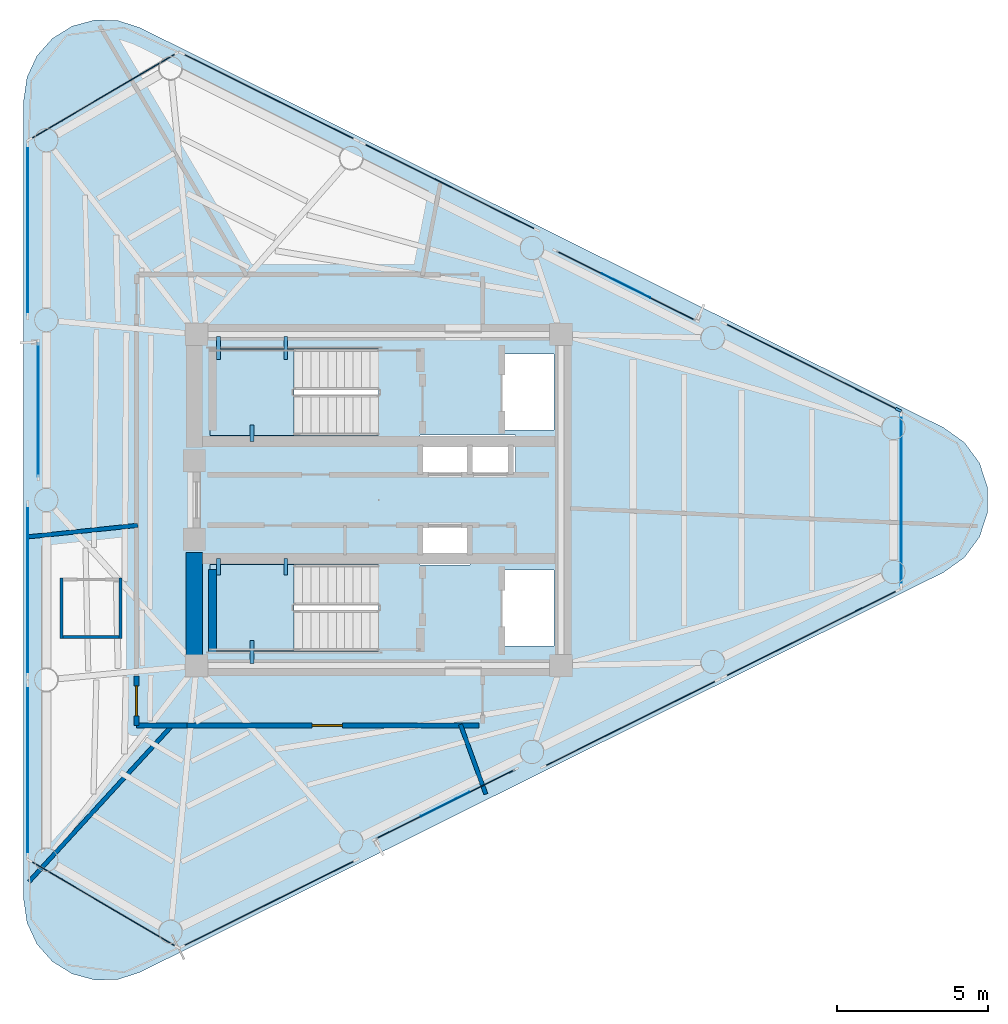
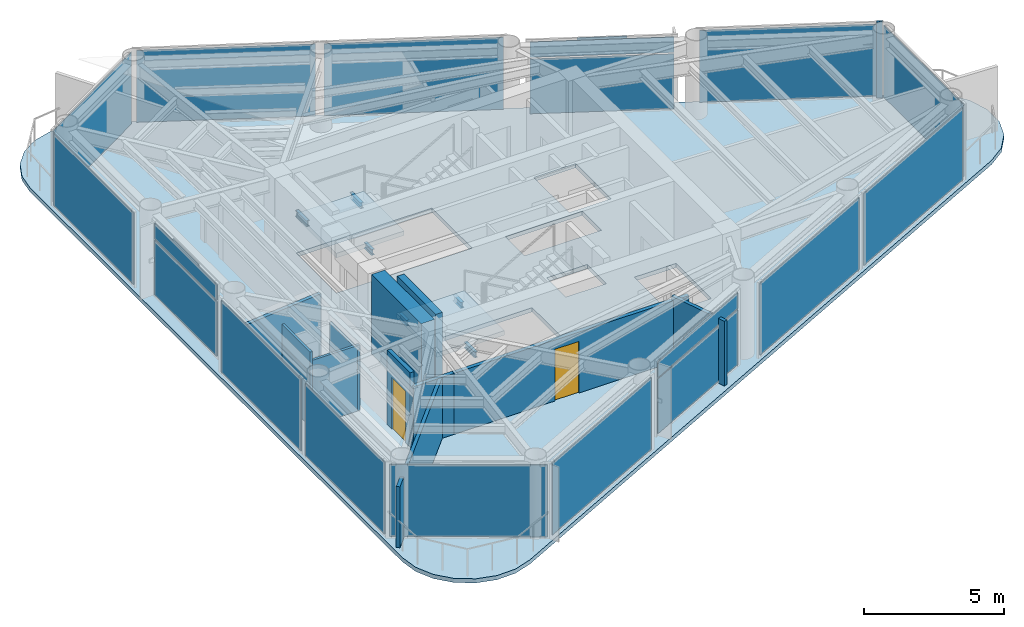
# One storey, part 4 of 10: 21 plates, 11 walls, 6 beams, 3 slabs, 2 doors, 1 member, 2 openings, 17 elements without a shape of their own.
"""IFC4 building model written with IfcOpenShell, lengths in metres."""

from ifc_helpers import new_model, si_unit, direction, frame, frame_2d, origin, origin_2d, place, context, subcontext, project, spatial, polyline, rectangle, i_section, outline, extrude, source, transform, mapped, material, layer, layer_set, material_profile, profile_set, type_object, element, fill, aggregate, save


model = new_model("IFC4")

# Units and contexts
model_context = context("Model", 3, precision=1e-05, world=origin(), true_north=direction((0.0, 1.0)))
body_context = subcontext(model_context, "Body", "Model", "MODEL_VIEW")
ifc_project = project(units=[si_unit("LENGTHUNIT", "METRE"), si_unit("AREAUNIT", "SQUARE_METRE"), si_unit("VOLUMEUNIT", "CUBIC_METRE"), si_unit("PLANEANGLEUNIT", "RADIAN"), si_unit("MASSUNIT", "GRAM", prefix="KILO")], contexts=[model_context])

# Site, building, storey
site_placement = place(None, origin())
site = spatial("IfcSite", under=ifc_project, at=site_placement, CompositionType="ELEMENT")
building_placement = place(site_placement, origin())
building = spatial("IfcBuilding", under=site, at=building_placement, Name="Yunling Apex Tower", CompositionType="ELEMENT")
storey_placement = place(building_placement, frame((0.0, 0.0, 310.550048828125)))
storey = spatial("IfcBuildingStorey", under=building, at=storey_placement, Name="L76", CompositionType="ELEMENT", Elevation=310.550048828125)

# Beams
ifc_material_1 = material(Name="Steel Q355B", Category="steel")
ifc_material_profile_1 = material_profile(ifc_material_1, i_section(OverallWidth=0.125, OverallDepth=0.25, WebThickness=0.006103515625, FlangeThickness=0.009033203125, FilletRadius=0.011962890625, at=origin_2d()))
ifc_profile_set_1 = profile_set([ifc_material_profile_1], Name="Steel Q355B")
beam_type = type_object("IfcBeamType", Name="BL-LNT-1", PredefinedType="LINTEL", material=ifc_profile_set_1)
shared_shape_1 = source(origin(), body_context, "Body", "SweptSolid", [
    extrude(i_section(OverallWidth=0.125, OverallDepth=0.25, WebThickness=0.006103515625, FlangeThickness=0.009033203125, FilletRadius=0.011962890625, at=origin_2d()), origin(), (0.0, 0.0, 1.0), 0.760009765625),
])
for number, where, z_axis, x_axis, name in (
    (1, (-5.320068359375, 5.419921875, 1.405029296875), (0.0, -1.0, 0.0), (1.0, 0.0, 0.0), "L76 ST-1 Landing Bearing Corbel 1-1"),
    (2, (-3.090087890625, 5.419921875, 1.405029296875), (0.0, -1.0, 0.0), (1.0, 0.0, 0.0), "L76 ST-1 Landing Bearing Corbel 1-2"),
    (3, (-4.205078125, -5.419921875, 1.405029296875), (0.0, 1.0, 0.0), (-1.0, 0.0, 0.0), "L76 ST-2 Landing Bearing Corbel 1-3"),
):
    element("IfcBeam", number, at=place(storey_placement, frame(where, z_axis=z_axis, x_axis=x_axis)), inside=storey, type_object=beam_type, Name=name, PredefinedType="LINTEL", context=body_context, shape_type="MappedRepresentation", body=[
        mapped(shared_shape_1, transform((0.0, 0.0, 0.0), scale=1.0)),
    ])
shared_shape_2 = source(origin(), body_context, "Body", "SweptSolid", [
    extrude(i_section(OverallWidth=0.125, OverallDepth=0.25, WebThickness=0.006103515625, FlangeThickness=0.009033203125, FilletRadius=0.011962890625, at=origin_2d()), origin(), (0.0, 0.0, 1.0), 0.550048828125),
])
for number, where, z_axis, x_axis, name in (
    (4, (-4.205078125, 1.93994140625, 1.405029296875), (0.0, 1.0, 0.0), (-1.0, 0.0, 0.0), "L76 ST-1 Landing Bearing Corbel 1-3"),
    (5, (-5.320068359375, -1.93994140625, 1.405029296875), (0.0, -1.0, 0.0), (1.0, 0.0, 0.0), "L76 ST-2 Landing Bearing Corbel 1-1"),
    (6, (-3.090087890625, -1.93994140625, 1.405029296875), (0.0, -1.0, 0.0), (1.0, 0.0, 0.0), "L76 ST-2 Landing Bearing Corbel 1-2"),
):
    element("IfcBeam", number, at=place(storey_placement, frame(where, z_axis=z_axis, x_axis=x_axis)), inside=storey, type_object=beam_type, Name=name, PredefinedType="LINTEL", context=body_context, shape_type="MappedRepresentation", body=[
        mapped(shared_shape_2, transform((0.0, 0.0, 0.0), scale=1.0)),
    ])

# Curtain wall, member
ifc_material_2 = material(Name="Bronze anodised aluminium", Category="aluminium")
ifc_layer_1 = layer(ifc_material_2, 0.219970703125)
ifc_layer_set_1 = layer_set([ifc_layer_1], Name="Bronze anodised aluminium")
curtain_wall_type = type_object("IfcCurtainWallType", Name="CW-SYS-4", PredefinedType="NOTDEFINED", material=ifc_layer_set_1)
curtain_wall_1_placement = place(storey_placement, origin())
curtain_wall_1 = element("IfcCurtainWall", 7, at=curtain_wall_1_placement, inside=storey, type_object=curtain_wall_type, Name="CW-L76-F2-B1", PredefinedType="NOTDEFINED")
ifc_material_profile_2 = material_profile(ifc_material_2, rectangle(XDim=0.080078125, YDim=0.219970703125, at=origin_2d()))
ifc_profile_set_2 = profile_set([ifc_material_profile_2], Name="Bronze anodised aluminium")
member_type = type_object("IfcMemberType", Name="CW-MUL-4", PredefinedType="MULLION", material=ifc_profile_set_2)
shared_shape_3 = source(origin(), body_context, "Body", "SweptSolid", [
    extrude(rectangle(XDim=0.080078125, YDim=0.219970703125, at=origin_2d()), origin(), (0.0, 0.0, 1.0), 3.3701171875),
])
member_placement = place(storey_placement, frame((17.2509765625, 2.990966796875, -0.050048828125), z_axis=(0.0, 0.0, 1.0), x_axis=(-0.445568135078, -0.895248030996, 0.0)))
member = element("IfcMember", 8, at=member_placement, type_object=member_type, Name="CW-SYS-4 mullion 1", PredefinedType="MULLION", context=body_context, shape_type="MappedRepresentation", body=[
    mapped(shared_shape_3, transform((0.0, 0.0, 0.0), scale=1.0)),
])

# Slab
ifc_material_3 = material(Name="Concrete C40", Category="concrete")
ifc_layer_2 = layer(ifc_material_3, 0.155029296875)
ifc_layer_set_2 = layer_set([ifc_layer_2], Name="Concrete C40")
slab_type_1 = type_object("IfcSlabType", Name="SL-FLR-3", PredefinedType="FLOOR", material=ifc_layer_set_2)
slab_1_placement = place(storey_placement, frame((0.0, 0.0, -0.179931640625)))
element("IfcSlab", 9, at=slab_1_placement, inside=storey, type_object=slab_type_1, Name="L76 Composite Tower Floor Slab", PredefinedType="FLOOR", context=body_context, shape_type="SweptSolid", body=[
    extrude(outline(polyline([(-11.787353515625, -13.2724609375), (-11.675048828125, -14.039794921875), (-11.347900390625, -14.742919921875), (-10.833251953125, -15.322998046875), (-10.173828125, -15.731201171875), (-9.42529296875, -15.93359375), (-8.650146484375, -15.913330078125), (-7.9130859375, -15.671875), (18.754150390625, -2.3994140625), (19.442138671875, -1.90771484375), (19.94287109375, -1.226318359375), (20.206298828125, -0.4228515625), (20.206298828125, 0.4228515625), (19.94287109375, 1.226318359375), (19.442138671875, 1.90771484375), (18.754150390625, 2.3994140625), (-7.9130859375, 15.671875), (-8.650146484375, 15.913330078125), (-9.42529296875, 15.93359375), (-10.173828125, 15.731201171875), (-10.833251953125, 15.322998046875), (-11.347900390625, 14.742919921875), (-11.675048828125, 14.039794921875), (-11.787353515625, 13.2724609375), (-11.787353515625, -13.2724609375)]), holes=[polyline([(4.090087890625, 4.840087890625), (5.81005859375, 4.840087890625), (5.81005859375, 2.320068359375), (4.090087890625, 2.320068359375), (4.090087890625, 4.840087890625)]), polyline([(4.090087890625, -4.840087890625), (4.090087890625, -2.320068359375), (5.81005859375, -2.320068359375), (5.81005859375, -4.840087890625), (4.090087890625, -4.840087890625)]), polyline([(4.534912109375, 0.794921875), (1.364990234375, 0.794921875), (1.364990234375, 2.1650390625), (4.534912109375, 2.1650390625), (4.534912109375, 0.794921875)]), polyline([(1.364990234375, -0.794921875), (3.034912109375, -0.794921875), (3.034912109375, -2.1650390625), (1.364990234375, -2.1650390625), (1.364990234375, -0.794921875)]), polyline([(-0.010009765625, -5.010009765625), (-5.60009765625, -5.010009765625), (-5.60009765625, -2.139892578125), (-0.010009765625, -2.139892578125), (-0.010009765625, -5.010009765625)]), polyline([(-0.010009765625, 2.139892578125), (-5.60009765625, 2.139892578125), (-5.60009765625, 5.010009765625), (-0.010009765625, 5.010009765625), (-0.010009765625, 2.139892578125)])]), origin(), (0.0, 0.0, 1.0), 0.179931640625),
])

# Stair, slab
stair_type = type_object("IfcStairType", Name="ST-TWR-3", PredefinedType="HALF_TURN_STAIR", material=ifc_material_3)
stair_1_placement = place(storey_placement, origin())
stair_1 = element("IfcStair", 10, at=stair_1_placement, inside=storey, type_object=stair_type, Name="L76 North Core Smokeproof Exit Stair ST-1", PredefinedType="HALF_TURN_STAIR")
ifc_layer_3 = layer(ifc_material_3, 0.195068359375)
ifc_layer_set_3 = layer_set([ifc_layer_3], Name="Concrete C40")
slab_type_2 = type_object("IfcSlabType", Name="SL-LND-1", PredefinedType="LANDING", material=ifc_layer_set_3)
slab_2_placement = place(storey_placement, frame((0.0, 0.0, 1.530029296875)))
slab_2 = element("IfcSlab", 11, at=slab_2_placement, type_object=slab_type_2, Name="ST-1 landing 1", PredefinedType="LANDING", context=body_context, shape_type="SweptSolid", body=[
    extrude(outline(polyline([(-2.81005859375, 5.010009765625), (-5.60009765625, 5.010009765625), (-5.60009765625, 2.139892578125), (-2.81005859375, 2.139892578125), (-2.81005859375, 5.010009765625)])), origin(), (0.0, 0.0, 1.0), 0.19482421875),
])
aggregate(stair_1, [slab_2])

stair_2_placement = place(storey_placement, origin())
stair_2 = element("IfcStair", 12, at=stair_2_placement, inside=storey, type_object=stair_type, Name="L76 South Core Smokeproof Exit Stair ST-2", PredefinedType="HALF_TURN_STAIR")
slab_3_placement = place(storey_placement, frame((0.0, 0.0, 1.530029296875)))
slab_3 = element("IfcSlab", 13, at=slab_3_placement, type_object=slab_type_2, Name="ST-2 landing 1", PredefinedType="LANDING", context=body_context, shape_type="SweptSolid", body=[
    extrude(outline(polyline([(-2.81005859375, -2.139892578125), (-5.60009765625, -2.139892578125), (-5.60009765625, -5.010009765625), (-2.81005859375, -5.010009765625), (-2.81005859375, -2.139892578125)])), origin(), (0.0, 0.0, 1.0), 0.19482421875),
])
aggregate(stair_2, [slab_3])

# Plates
ifc_layer_4 = layer(ifc_material_2, 0.011962890625)
ifc_layer_set_4 = layer_set([ifc_layer_4], Name="Bronze anodised aluminium")
plate_type_1 = type_object("IfcPlateType", Name="SP-SHT-1", PredefinedType="SHEET", material=ifc_layer_set_4)
shared_shape_4 = source(origin(), body_context, "Body", "SweptSolid", [
    extrude(rectangle(XDim=1.800048828125, YDim=0.02392578125, at=origin_2d()), origin(), (0.0, 0.0, 1.0), 0.43994140625),
])
for number, where, z_axis, x_axis, name in (
    (14, (2.20654296875, -10.09912109375, 2.869873046875), (0.0, 0.0, 1.0), (0.895245648325, 0.445572922377, 0.0), "SP-GRV-L76-F1"),
    (15, (8.206787109375, 7.11279296875, 2.869873046875), (0.0, 0.0, 1.0), (-0.895245648325, 0.445572922377, 0.0), "SP-GRV-L76-F2"),
    (16, (-11.307373046875, 2.986328125, 2.869873046875), (0.0, 0.0, 1.0), (0.0, -1.0, 0.0), "SP-GRV-L76-F3"),
):
    element("IfcPlate", number, at=place(storey_placement, frame(where, z_axis=z_axis, x_axis=x_axis)), inside=storey, type_object=plate_type_1, Name=name, PredefinedType="SHEET", context=body_context, shape_type="MappedRepresentation", body=[
        mapped(shared_shape_4, transform((0.0, 0.0, 0.0), scale=1.0)),
    ])

# Curtain wall, plate
curtain_wall_2_placement = place(storey_placement, origin())
curtain_wall_2 = element("IfcCurtainWall", 17, at=curtain_wall_2_placement, inside=storey, type_object=curtain_wall_type, Name="CW-L76-F1-B1", PredefinedType="NOTDEFINED")
ifc_material_4 = material(Name="Bronze tinted low-E glass", Category="glass")
ifc_layer_5 = layer(ifc_material_4, 0.030029296875)
ifc_layer_set_5 = layer_set([ifc_layer_5], Name="Bronze tinted low-E glass")
plate_type_2 = type_object("IfcPlateType", Name="CW-PNL-4", PredefinedType="CURTAIN_PANEL", material=ifc_layer_set_5)
shared_shape_5 = source(origin(), body_context, "Body", "SweptSolid", [
    extrude(rectangle(XDim=6.398193359375, YDim=0.030029296875, at=origin_2d()), origin(), (0.0, 0.0, 1.0), 3.1259765625),
])
plate_1_placement = place(storey_placement, frame((-3.64208984375, -13.3896484375, 0.072021484375), z_axis=(0.0, 0.0, 1.0), x_axis=(0.895248030996, 0.445568135078, 0.0)))
plate_1 = element("IfcPlate", 18, at=plate_1_placement, type_object=plate_type_2, Name="CW-SYS-4 panel 1.1", PredefinedType="CURTAIN_PANEL", context=body_context, shape_type="MappedRepresentation", body=[
    mapped(shared_shape_5, transform((0.0, 0.0, 0.0), scale=1.0)),
])
aggregate(curtain_wall_2, [plate_1])

curtain_wall_3_placement = place(storey_placement, origin())
curtain_wall_3 = element("IfcCurtainWall", 19, at=curtain_wall_3_placement, inside=storey, type_object=curtain_wall_type, Name="CW-L76-F1-B3", PredefinedType="NOTDEFINED")
plate_2_placement = place(storey_placement, frame((8.358154296875, -7.4169921875, 0.072021484375), z_axis=(0.0, 0.0, 1.0), x_axis=(0.895241933715, 0.445580385698, 0.0)))
plate_2 = element("IfcPlate", 20, at=plate_2_placement, type_object=plate_type_2, Name="CW-SYS-4 panel 1.1", PredefinedType="CURTAIN_PANEL", context=body_context, shape_type="MappedRepresentation", body=[
    mapped(shared_shape_5, transform((0.0, 0.0, 0.0), scale=1.0)),
])
aggregate(curtain_wall_3, [plate_2])

curtain_wall_4_placement = place(storey_placement, origin())
curtain_wall_4 = element("IfcCurtainWall", 21, at=curtain_wall_4_placement, inside=storey, type_object=curtain_wall_type, Name="CW-L76-F1-B4", PredefinedType="NOTDEFINED")
plate_3_placement = place(storey_placement, frame((14.358154296875, -4.4306640625, 0.072021484375), z_axis=(0.0, 0.0, 1.0), x_axis=(0.895248030996, 0.445568135078, 0.0)))
plate_3 = element("IfcPlate", 22, at=plate_3_placement, type_object=plate_type_2, Name="CW-SYS-4 panel 1.1", PredefinedType="CURTAIN_PANEL", context=body_context, shape_type="MappedRepresentation", body=[
    mapped(shared_shape_5, transform((0.0, 0.0, 0.0), scale=1.0)),
])
aggregate(curtain_wall_4, [plate_3])

# Plate
plate_4_placement = place(storey_placement, frame((14.358154296875, 4.4306640625, 0.072021484375), z_axis=(0.0, 0.0, 1.0), x_axis=(-0.895248030996, 0.445568135078, 0.0)))
plate_4 = element("IfcPlate", 23, at=plate_4_placement, type_object=plate_type_2, Name="CW-SYS-4 panel 1.1", PredefinedType="CURTAIN_PANEL", context=body_context, shape_type="MappedRepresentation", body=[
    mapped(shared_shape_5, transform((0.0, 0.0, 0.0), scale=1.0)),
])

aggregate(curtain_wall_1, [member, plate_4])

# Curtain wall, plate
curtain_wall_5_placement = place(storey_placement, origin())
curtain_wall_5 = element("IfcCurtainWall", 24, at=curtain_wall_5_placement, inside=storey, type_object=curtain_wall_type, Name="CW-L76-F2-B3", PredefinedType="NOTDEFINED")
plate_5_placement = place(storey_placement, frame((2.35791015625, 10.4033203125, 0.072021484375), z_axis=(0.0, 0.0, 1.0), x_axis=(-0.895251065549, 0.445562037917, 0.0)))
plate_5 = element("IfcPlate", 25, at=plate_5_placement, type_object=plate_type_2, Name="CW-SYS-4 panel 1.1", PredefinedType="CURTAIN_PANEL", context=body_context, shape_type="MappedRepresentation", body=[
    mapped(shared_shape_5, transform((0.0, 0.0, 0.0), scale=1.0)),
])
aggregate(curtain_wall_5, [plate_5])

curtain_wall_6_placement = place(storey_placement, origin())
curtain_wall_6 = element("IfcCurtainWall", 26, at=curtain_wall_6_placement, inside=storey, type_object=curtain_wall_type, Name="CW-L76-F2-B4", PredefinedType="NOTDEFINED")
plate_6_placement = place(storey_placement, frame((-3.64208984375, 13.3896484375, 0.072021484375), z_axis=(0.0, 0.0, 1.0), x_axis=(-0.895248030996, 0.445568135078, 0.0)))
plate_6 = element("IfcPlate", 27, at=plate_6_placement, type_object=plate_type_2, Name="CW-SYS-4 panel 1.1", PredefinedType="CURTAIN_PANEL", context=body_context, shape_type="MappedRepresentation", body=[
    mapped(shared_shape_5, transform((0.0, 0.0, 0.0), scale=1.0)),
])
aggregate(curtain_wall_6, [plate_6])

curtain_wall_7_placement = place(storey_placement, origin())
curtain_wall_7 = element("IfcCurtainWall", 28, at=curtain_wall_7_placement, inside=storey, type_object=curtain_wall_type, Name="CW-L76-F1-B2", PredefinedType="NOTDEFINED")
shared_shape_6 = source(origin(), body_context, "Body", "SweptSolid", [
    extrude(rectangle(XDim=5.158203125, YDim=0.030029296875, at=origin_2d()), origin(), (0.0, 0.0, 1.0), 2.381103515625),
])
plate_7_placement = place(storey_placement, frame((2.20654296875, -10.09912109375, 0.07177734375), z_axis=(0.0, 0.0, 1.0), x_axis=(0.895251720611, 0.445560721723, 0.0)))
plate_7 = element("IfcPlate", 29, at=plate_7_placement, type_object=plate_type_2, Name="CW-SYS-4 panel 1.1", PredefinedType="CURTAIN_PANEL", context=body_context, shape_type="MappedRepresentation", body=[
    mapped(shared_shape_6, transform((0.0, 0.0, 0.0), scale=1.0)),
])

curtain_wall_8_placement = place(storey_placement, origin())
curtain_wall_8 = element("IfcCurtainWall", 30, at=curtain_wall_8_placement, inside=storey, type_object=curtain_wall_type, Name="CW-L76-F2-B2", PredefinedType="NOTDEFINED")
plate_8_placement = place(storey_placement, frame((8.206787109375, 7.11279296875, 0.07177734375), z_axis=(0.0, 0.0, 1.0), x_axis=(-0.895240453185, 0.445583360305, 0.0)))
plate_8 = element("IfcPlate", 31, at=plate_8_placement, type_object=plate_type_2, Name="CW-SYS-4 panel 1.1", PredefinedType="CURTAIN_PANEL", context=body_context, shape_type="MappedRepresentation", body=[
    mapped(shared_shape_6, transform((0.0, 0.0, 0.0), scale=1.0)),
])

# Plate
shared_shape_7 = source(origin(), body_context, "Body", "SweptSolid", [
    extrude(rectangle(XDim=5.158203125, YDim=0.030029296875, at=origin_2d()), origin(), (0.0, 0.0, 1.0), 0.680908203125),
])
plate_9_placement = place(storey_placement, frame((2.20654296875, -10.09912109375, 2.51708984375), z_axis=(0.0, 0.0, 1.0), x_axis=(0.895251720611, 0.445560721723, 0.0)))
plate_9 = element("IfcPlate", 32, at=plate_9_placement, type_object=plate_type_2, Name="CW-SYS-4 panel 1.2", PredefinedType="CURTAIN_PANEL", context=body_context, shape_type="MappedRepresentation", body=[
    mapped(shared_shape_7, transform((0.0, 0.0, 0.0), scale=1.0)),
])

aggregate(curtain_wall_7, [plate_7, plate_9])

plate_10_placement = place(storey_placement, frame((8.206787109375, 7.11279296875, 2.51708984375), z_axis=(0.0, 0.0, 1.0), x_axis=(-0.895240453185, 0.445583360305, 0.0)))
plate_10 = element("IfcPlate", 33, at=plate_10_placement, type_object=plate_type_2, Name="CW-SYS-4 panel 1.2", PredefinedType="CURTAIN_PANEL", context=body_context, shape_type="MappedRepresentation", body=[
    mapped(shared_shape_7, transform((0.0, 0.0, 0.0), scale=1.0)),
])

aggregate(curtain_wall_8, [plate_8, plate_10])

# Curtain wall, plate
curtain_wall_9_placement = place(storey_placement, origin())
curtain_wall_9 = element("IfcCurtainWall", 34, at=curtain_wall_9_placement, inside=storey, type_object=curtain_wall_type, Name="CW-L76-CRN1", PredefinedType="NOTDEFINED")
shared_shape_8 = source(origin(), body_context, "Body", "SweptSolid", [
    extrude(rectangle(XDim=5.6953125, YDim=0.030029296875, at=origin_2d()), origin(), (0.0, 0.0, 1.0), 3.1259765625),
])
plate_11_placement = place(storey_placement, frame((17.349365234375, 0.0, 0.072021484375), z_axis=(0.0, 0.0, 1.0), x_axis=(0.0, 1.0, 0.0)))
plate_11 = element("IfcPlate", 35, at=plate_11_placement, type_object=plate_type_2, Name="CW-SYS-4 panel 1.1", PredefinedType="CURTAIN_PANEL", context=body_context, shape_type="MappedRepresentation", body=[
    mapped(shared_shape_8, transform((0.0, 0.0, 0.0), scale=1.0)),
])
aggregate(curtain_wall_9, [plate_11])

curtain_wall_10_placement = place(storey_placement, origin())
curtain_wall_10 = element("IfcCurtainWall", 36, at=curtain_wall_10_placement, inside=storey, type_object=curtain_wall_type, Name="CW-L76-CRN2", PredefinedType="NOTDEFINED")
shared_shape_9 = source(origin(), body_context, "Body", "SweptSolid", [
    extrude(rectangle(XDim=5.62548828125, YDim=0.030029296875, at=origin_2d()), origin(), (0.0, 0.0, 1.0), 3.1259765625),
])
plate_12_placement = place(storey_placement, frame((-9.13916015625, 13.405029296875, 0.072021484375), z_axis=(0.0, 0.0, 1.0), x_axis=(-0.862499991399, -0.506057076658, 0.0)))
plate_12 = element("IfcPlate", 37, at=plate_12_placement, type_object=plate_type_2, Name="CW-SYS-4 panel 1.1", PredefinedType="CURTAIN_PANEL", context=body_context, shape_type="MappedRepresentation", body=[
    mapped(shared_shape_9, transform((0.0, 0.0, 0.0), scale=1.0)),
])
aggregate(curtain_wall_10, [plate_12])

curtain_wall_11_placement = place(storey_placement, origin())
curtain_wall_11 = element("IfcCurtainWall", 38, at=curtain_wall_11_placement, inside=storey, type_object=curtain_wall_type, Name="CW-L76-CRN3", PredefinedType="NOTDEFINED")
plate_13_placement = place(storey_placement, frame((-9.13916015625, -13.405029296875, 0.072021484375), z_axis=(0.0, 0.0, 1.0), x_axis=(0.862492426173, -0.506069970256, 0.0)))
plate_13 = element("IfcPlate", 39, at=plate_13_placement, type_object=plate_type_2, Name="CW-SYS-4 panel 1.1", PredefinedType="CURTAIN_PANEL", context=body_context, shape_type="MappedRepresentation", body=[
    mapped(shared_shape_9, transform((0.0, 0.0, 0.0), scale=1.0)),
])
aggregate(curtain_wall_11, [plate_13])

curtain_wall_12_placement = place(storey_placement, origin())
curtain_wall_12 = element("IfcCurtainWall", 40, at=curtain_wall_12_placement, inside=storey, type_object=curtain_wall_type, Name="CW-L76-F3-B1", PredefinedType="NOTDEFINED")
shared_shape_10 = source(origin(), body_context, "Body", "SweptSolid", [
    extrude(rectangle(XDim=5.668701171875, YDim=0.030029296875, at=origin_2d()), origin(), (0.0, 0.0, 1.0), 3.1259765625),
])
plate_14_placement = place(storey_placement, frame((-11.647216796875, 8.958984375, 0.072021484375), z_axis=(0.0, 0.0, 1.0), x_axis=(0.0, -1.0, 0.0)))
plate_14 = element("IfcPlate", 41, at=plate_14_placement, type_object=plate_type_2, Name="CW-SYS-4 panel 1.1", PredefinedType="CURTAIN_PANEL", context=body_context, shape_type="MappedRepresentation", body=[
    mapped(shared_shape_10, transform((0.0, 0.0, 0.0), scale=1.0)),
])
aggregate(curtain_wall_12, [plate_14])

curtain_wall_13_placement = place(storey_placement, origin())
curtain_wall_13 = element("IfcCurtainWall", 42, at=curtain_wall_13_placement, inside=storey, type_object=curtain_wall_type, Name="CW-L76-F3-B3", PredefinedType="NOTDEFINED")
plate_15_placement = place(storey_placement, frame((-11.647216796875, -2.986328125, 0.072021484375), z_axis=(0.0, 0.0, 1.0), x_axis=(0.0, -1.0, 0.0)))
plate_15 = element("IfcPlate", 43, at=plate_15_placement, type_object=plate_type_2, Name="CW-SYS-4 panel 1.1", PredefinedType="CURTAIN_PANEL", context=body_context, shape_type="MappedRepresentation", body=[
    mapped(shared_shape_10, transform((0.0, 0.0, 0.0), scale=1.0)),
])
aggregate(curtain_wall_13, [plate_15])

curtain_wall_14_placement = place(storey_placement, origin())
curtain_wall_14 = element("IfcCurtainWall", 44, at=curtain_wall_14_placement, inside=storey, type_object=curtain_wall_type, Name="CW-L76-F3-B4", PredefinedType="NOTDEFINED")
plate_16_placement = place(storey_placement, frame((-11.647216796875, -8.958984375, 0.072021484375), z_axis=(0.0, 0.0, 1.0), x_axis=(0.0, -1.0, 0.0)))
plate_16 = element("IfcPlate", 45, at=plate_16_placement, type_object=plate_type_2, Name="CW-SYS-4 panel 1.1", PredefinedType="CURTAIN_PANEL", context=body_context, shape_type="MappedRepresentation", body=[
    mapped(shared_shape_10, transform((0.0, 0.0, 0.0), scale=1.0)),
])
aggregate(curtain_wall_14, [plate_16])

# Curtain wall, plates
curtain_wall_15_placement = place(storey_placement, origin())
curtain_wall_15 = element("IfcCurtainWall", 46, at=curtain_wall_15_placement, inside=storey, type_object=curtain_wall_type, Name="CW-L76-F3-B2", PredefinedType="NOTDEFINED")
shared_shape_11 = source(origin(), body_context, "Body", "SweptSolid", [
    extrude(rectangle(XDim=4.4287109375, YDim=0.030029296875, at=origin_2d()), origin(), (0.0, 0.0, 1.0), 2.381103515625),
])
plate_17_placement = place(storey_placement, frame((-11.307373046875, 2.986328125, 0.07177734375), z_axis=(0.0, 0.0, 1.0), x_axis=(0.0, -1.0, 0.0)))
plate_17 = element("IfcPlate", 47, at=plate_17_placement, type_object=plate_type_2, Name="CW-SYS-4 panel 1.1", PredefinedType="CURTAIN_PANEL", context=body_context, shape_type="MappedRepresentation", body=[
    mapped(shared_shape_11, transform((0.0, 0.0, 0.0), scale=1.0)),
])
shared_shape_12 = source(origin(), body_context, "Body", "SweptSolid", [
    extrude(rectangle(XDim=4.4287109375, YDim=0.030029296875, at=origin_2d()), origin(), (0.0, 0.0, 1.0), 0.680908203125),
])
plate_18_placement = place(storey_placement, frame((-11.307373046875, 2.986328125, 2.51708984375), z_axis=(0.0, 0.0, 1.0), x_axis=(0.0, -1.0, 0.0)))
plate_18 = element("IfcPlate", 48, at=plate_18_placement, type_object=plate_type_2, Name="CW-SYS-4 panel 1.2", PredefinedType="CURTAIN_PANEL", context=body_context, shape_type="MappedRepresentation", body=[
    mapped(shared_shape_12, transform((0.0, 0.0, 0.0), scale=1.0)),
])
aggregate(curtain_wall_15, [plate_17, plate_18])

# Walls
ifc_layer_6 = layer(ifc_material_3, 0.550048828125)
ifc_layer_set_6 = layer_set([ifc_layer_6], Name="Concrete C40")
wall_type_1 = type_object("IfcWallType", Name="WL-COR-3", PredefinedType="SHEAR", material=ifc_layer_set_6)
wall_1_placement = place(storey_placement, frame((-6.125, -5.300048828125, 0.0), z_axis=(0.0, 0.0, 1.0), x_axis=(0.0, 1.0, 0.0)))
element("IfcWall", 49, at=wall_1_placement, inside=storey, type_object=wall_type_1, Name="L76 West-South Core Shear Wall", PredefinedType="SHEAR", context=body_context, shape_type="SweptSolid", body=[
    extrude(rectangle(XDim=3.550048828125, YDim=0.550048828125, at=frame_2d((1.77490234375, 0.0))), origin(), (0.0, 0.0, 1.0), 3.449951171875),
])
ifc_layer_7 = layer(ifc_material_3, 0.280029296875)
ifc_layer_set_7 = layer_set([ifc_layer_7], Name="Concrete C40")
wall_type_2 = type_object("IfcWallType", Name="WL-COR-8", PredefinedType="SHEAR", material=ifc_layer_set_7)
wall_2_placement = place(storey_placement, frame((-5.52001953125, -5.050048828125, 0.0), z_axis=(0.0, 0.0, 1.0), x_axis=(0.0, 1.0, 0.0)))
element("IfcWall", 50, at=wall_2_placement, inside=storey, type_object=wall_type_2, Name="L76 ST-2 West Landing Bearing Wall", PredefinedType="SHEAR", context=body_context, shape_type="SweptSolid", body=[
    extrude(rectangle(XDim=2.75, YDim=0.280029296875, at=frame_2d((1.375, 0.0))), origin(), (0.0, 0.0, 1.0), 3.449951171875),
])

# Wall, opening, door
ifc_material_5 = material(Name="Gypsum board acoustic partition")
ifc_layer_8 = layer(ifc_material_5, 0.159912109375)
ifc_layer_set_8 = layer_set([ifc_layer_8], Name="Gypsum board acoustic partition")
wall_type_3 = type_object("IfcWallType", Name="WL-PRT-1", PredefinedType="PARTITIONING", material=ifc_layer_set_8)
wall_3_placement = place(storey_placement, frame((3.319091796875, -7.489990234375, 0.0), z_axis=(0.0, 0.0, 1.0), x_axis=(-1.0, 0.0, 0.0)))
wall_3 = element("IfcWall", 51, at=wall_3_placement, inside=storey, type_object=wall_type_3, Name="WL-CORR-L76-06", PredefinedType="PARTITIONING", context=body_context, shape_type="SweptSolid", body=[
    extrude(rectangle(XDim=9.67919921875, YDim=0.159912109375, at=frame_2d((4.839599609375, 0.0))), origin(), (0.0, 0.0, 1.0), 2.655029296875),
])
opening_1_placement = place(wall_3_placement, frame((4.529541015625, 0.0, 0.0)))
opening_1 = element("IfcOpeningElement", 52, at=opening_1_placement, cuts=wall_3, Name="Opening DR-OFF-1", PredefinedType="OPENING", context=body_context, shape_type="SweptSolid", body=[
    extrude(rectangle(XDim=1.0, YDim=2.25, at=frame_2d((0.5, 1.125))), frame((0.0, 0.08984375, 0.0), z_axis=(0.0, -1.0, 0.0), x_axis=(1.0, 0.0, 0.0)), (0.0, 0.0, 1.0), 0.179931640625),
])
door_type = type_object("IfcDoorType", Name="DR-OFF-1", OperationType="NOTDEFINED", PredefinedType="DOOR", material=ifc_material_2)
door_1_placement = place(opening_1_placement, origin())
door_1 = element("IfcDoor", 53, at=door_1_placement, inside=storey, type_object=door_type, Name="L76 Concierge Reception Foyer Door", OperationType="SINGLE_SWING_RIGHT", OverallHeight=2.25, OverallWidth=1.0, PredefinedType="DOOR", context=body_context, shape_type="SweptSolid", body=[
    extrude(rectangle(XDim=1.0, YDim=2.25, at=frame_2d((0.5, 1.125))), frame((0.0, 0.02490234375, 0.0), z_axis=(0.0, -1.0, 0.0), x_axis=(1.0, 0.0, 0.0)), (0.0, 0.0, 1.0), 0.050048828125),
])
fill(opening_1, door_1)

# Wall
wall_4_placement = place(storey_placement, frame((-6.360107421875, -7.489990234375, 0.0), z_axis=(0.0, 0.0, 1.0), x_axis=(-1.0, 0.0, 0.0)))
element("IfcWall", 54, at=wall_4_placement, inside=storey, type_object=wall_type_3, Name="WL-CORR-L76-07", PredefinedType="PARTITIONING", context=body_context, shape_type="SweptSolid", body=[
    extrude(rectangle(XDim=1.679931640625, YDim=0.159912109375, at=frame_2d((0.83984375, 0.0))), origin(), (0.0, 0.0, 1.0), 2.655029296875),
])

# Wall, opening, door
wall_5_placement = place(storey_placement, frame((-8.0400390625, -7.489990234375, 0.0), z_axis=(0.0, 0.0, 1.0), x_axis=(0.0, 1.0, 0.0)))
wall_5 = element("IfcWall", 55, at=wall_5_placement, inside=storey, type_object=wall_type_3, Name="WL-CORR-L76-08", PredefinedType="PARTITIONING", context=body_context, shape_type="SweptSolid", body=[
    extrude(rectangle(XDim=1.639892578125, YDim=0.159912109375, at=frame_2d((0.81982421875, 0.0))), origin(), (0.0, 0.0, 1.0), 3.25),
])
opening_2_placement = place(wall_5_placement, frame((0.320068359375, 0.0, 0.0)))
opening_2 = element("IfcOpeningElement", 56, at=opening_2_placement, cuts=wall_5, Name="Opening DR-OFF-1", PredefinedType="OPENING", context=body_context, shape_type="SweptSolid", body=[
    extrude(rectangle(XDim=1.0, YDim=2.25, at=frame_2d((0.5, 1.125))), frame((0.0, 0.08984375, 0.0), z_axis=(0.0, -1.0, 0.0), x_axis=(1.0, 0.0, 0.0)), (0.0, 0.0, 1.0), 0.179931640625),
])
door_2_placement = place(opening_2_placement, origin())
door_2 = element("IfcDoor", 57, at=door_2_placement, inside=storey, type_object=door_type, Name="L76 Wellness Yoga Club Door", OperationType="SINGLE_SWING_LEFT", OverallHeight=2.25, OverallWidth=1.0, PredefinedType="DOOR", context=body_context, shape_type="SweptSolid", body=[
    extrude(rectangle(XDim=1.0, YDim=2.25, at=frame_2d((0.5, 1.125))), frame((0.0, 0.02490234375, 0.0), z_axis=(0.0, -1.0, 0.0), x_axis=(1.0, 0.0, 0.0)), (0.0, 0.0, 1.0), 0.050048828125),
])
fill(opening_2, door_2)

# Walls
ifc_layer_9 = layer(ifc_material_5, 0.139892578125)
ifc_layer_set_9 = layer_set([ifc_layer_9], Name="Gypsum board acoustic partition")
wall_type_4 = type_object("IfcWallType", Name="WL-PRT-2", PredefinedType="PARTITIONING", material=ifc_layer_set_9)
wall_6_placement = place(storey_placement, frame((-8.0, -0.8408203125, 0.0), z_axis=(0.0, 0.0, 1.0), x_axis=(-0.994522036567, -0.104527119842, 0.0)))
element("IfcWall", 58, at=wall_6_placement, inside=storey, type_object=wall_type_4, Name="WL-RAD-L76-04", PredefinedType="PARTITIONING", context=body_context, shape_type="SweptSolid", body=[
    extrude(rectangle(XDim=3.627197265625, YDim=0.139892578125, at=frame_2d((1.8134765625, 0.0))), origin(), (0.0, 0.0, 1.0), 2.655029296875),
])
wall_7_placement = place(storey_placement, frame((-6.82666015625, -7.449951171875, 0.0), z_axis=(0.0, 0.0, 1.0), x_axis=(-0.675607445236, -0.737261541071, 0.0)))
element("IfcWall", 59, at=wall_7_placement, inside=storey, type_object=wall_type_4, Name="WL-RAD-L76-05", PredefinedType="PARTITIONING", context=body_context, shape_type="SweptSolid", body=[
    extrude(rectangle(XDim=7.076171875, YDim=0.139892578125, at=frame_2d((3.5380859375, 0.0))), origin(), (0.0, 0.0, 1.0), 2.655029296875),
])
wall_8_placement = place(storey_placement, frame((2.711669921875, -7.449951171875, 0.0), z_axis=(0.0, 0.0, 1.0), x_axis=(0.341989856239, -0.939703643831, 0.0)))
element("IfcWall", 60, at=wall_8_placement, inside=storey, type_object=wall_type_4, Name="WL-RAD-L76-06", PredefinedType="PARTITIONING", context=body_context, shape_type="SweptSolid", body=[
    extrude(rectangle(XDim=2.462158203125, YDim=0.139892578125, at=frame_2d((1.23095703125, 0.0))), origin(), (0.0, 0.0, 1.0), 2.81494140625),
])
ifc_layer_10 = layer(ifc_material_5, 0.10009765625)
ifc_layer_set_10 = layer_set([ifc_layer_10], Name="Gypsum board acoustic partition")
wall_type_5 = type_object("IfcWallType", Name="WL-PRT-4", PredefinedType="PARTITIONING", material=ifc_layer_set_10)
wall_9_placement = place(storey_placement, frame((-8.52392578125, -4.5439453125, 0.0), z_axis=(0.0, 0.0, 1.0), x_axis=(-1.0, 0.0, 0.0)))
element("IfcWall", 61, at=wall_9_placement, inside=storey, type_object=wall_type_5, Name="WL-L76-RWC1S", PredefinedType="PARTITIONING", context=body_context, shape_type="SweptSolid", body=[
    extrude(rectangle(XDim=2.050048828125, YDim=0.10009765625, at=frame_2d((1.02490234375, 0.0))), origin(), (0.0, 0.0, 1.0), 2.85498046875),
])
wall_10_placement = place(storey_placement, frame((-8.573974609375, -2.593994140625, 0.0), z_axis=(0.0, 0.0, 1.0), x_axis=(0.0, -1.0, 0.0)))
element("IfcWall", 62, at=wall_10_placement, inside=storey, type_object=wall_type_5, Name="WL-L76-RWC1E", PredefinedType="PARTITIONING", context=body_context, shape_type="SweptSolid", body=[
    extrude(rectangle(XDim=2.0, YDim=0.10009765625, at=frame_2d((1.0, 0.0))), origin(), (0.0, 0.0, 1.0), 2.655029296875),
])
wall_11_placement = place(storey_placement, frame((-10.52392578125, -4.593994140625, 0.0), z_axis=(0.0, 0.0, 1.0), x_axis=(0.0, 1.0, 0.0)))
element("IfcWall", 63, at=wall_11_placement, inside=storey, type_object=wall_type_5, Name="WL-L76-RWC1W", PredefinedType="PARTITIONING", context=body_context, shape_type="SweptSolid", body=[
    extrude(rectangle(XDim=2.0, YDim=0.10009765625, at=frame_2d((1.0, 0.0))), origin(), (0.0, 0.0, 1.0), 3.25),
])

save(model, "model.ifc")
